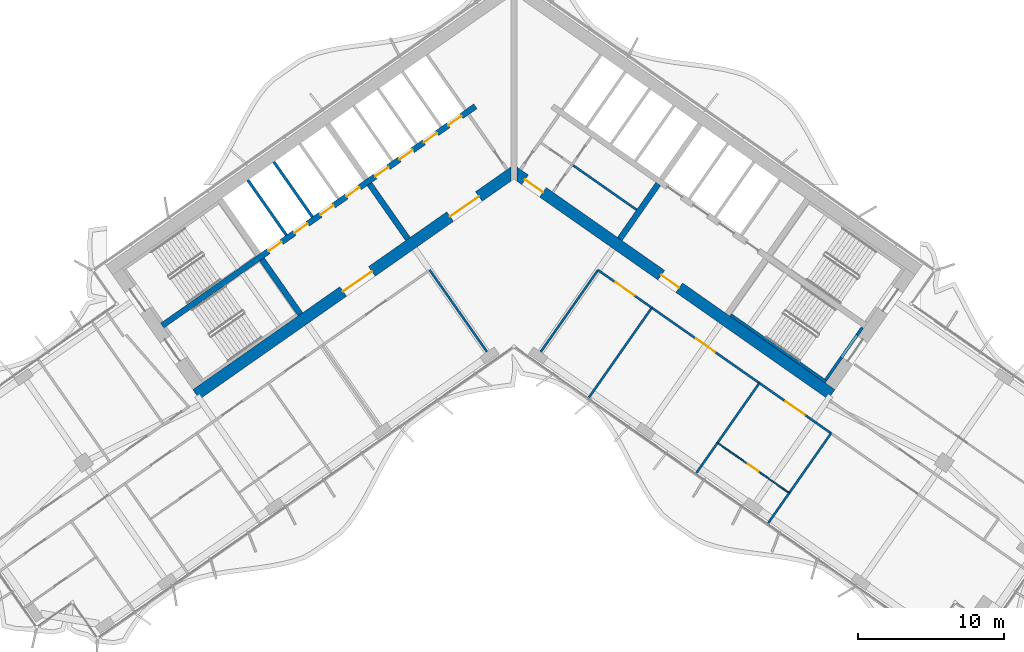
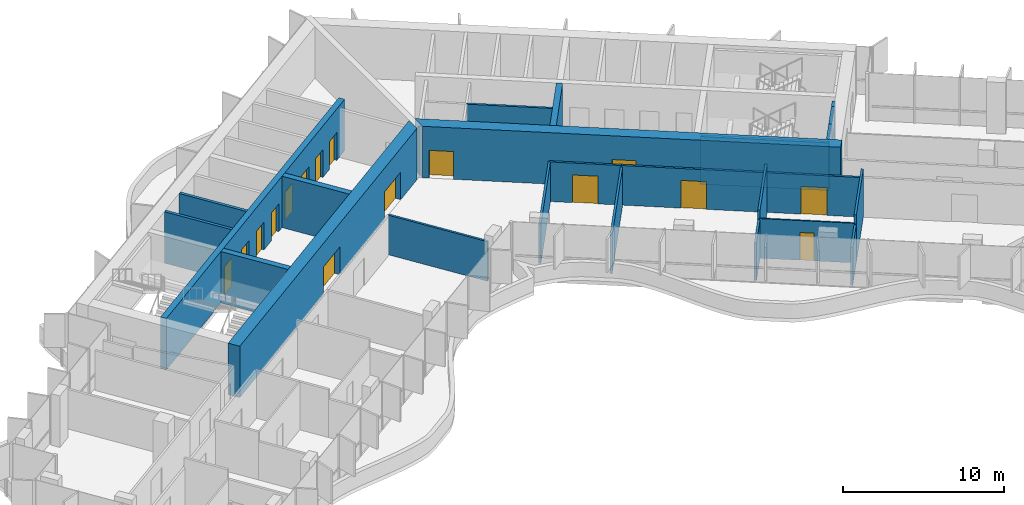
# One storey, part 13 of 21: 24 walls, 16 doors, 16 openings.
"""IFC4 building model written with IfcOpenShell, lengths in metres."""

from ifc_helpers import new_model, si_unit, direction, frame, frame_2d, origin, place, context, subcontext, project, spatial, polyline, rectangle, outline, extrude, material, layer, layer_set, type_object, element, fill, save


model = new_model("IFC4")

# Units and contexts
model_context = context("Model", 3, precision=1e-05, world=origin(), true_north=direction((0.0, 1.0)))
body_context = subcontext(model_context, "Body", "Model", "MODEL_VIEW")
ifc_project = project(units=[si_unit("LENGTHUNIT", "METRE"), si_unit("AREAUNIT", "SQUARE_METRE"), si_unit("VOLUMEUNIT", "CUBIC_METRE"), si_unit("PLANEANGLEUNIT", "RADIAN"), si_unit("MASSUNIT", "GRAM", prefix="KILO")], contexts=[model_context])

# Site, building, storey
site_placement = place(None, origin())
site = spatial("IfcSite", under=ifc_project, at=site_placement, CompositionType="ELEMENT")
building_placement = place(site_placement, origin())
building = spatial("IfcBuilding", under=site, at=building_placement, Name="Tel Ilan Convention Tower", CompositionType="ELEMENT")
storey_placement = place(building_placement, frame((0.0, 0.0, 139.800048828125)))
storey = spatial("IfcBuildingStorey", under=building, at=storey_placement, Name="L31", CompositionType="ELEMENT", Elevation=139.800048828125)

# Walls
ifc_material_1 = material(Name="Gypsum Plasterboard on Steel Stud", Category="steel")
ifc_layer_1 = layer(ifc_material_1, 0.14990234375)
ifc_layer_set_1 = layer_set([ifc_layer_1], Name="Core Room Partition Wall 150 mm EI 60")
wall_type_1 = type_object("IfcWallType", Name="Core Room Partition Wall 150 mm EI 60", PredefinedType="PARTITIONING", material=ifc_layer_set_1)
wall_1_placement = place(storey_placement, frame((3.989501953125, -0.22998046875, 0.0), z_axis=(0.0, 0.0, 1.0), x_axis=(0.819153326956, -0.573574604508, 0.0)))
element("IfcWall", 1, at=wall_1_placement, inside=storey, type_object=wall_type_1, Name="L31 core wall wc-h2", PredefinedType="PARTITIONING", context=body_context, shape_type="SweptSolid", body=[
    extrude(rectangle(XDim=5.400146484375, YDim=0.14990234375, at=frame_2d((2.7001953125, 0.0))), origin(), (0.0, 0.0, 1.0), 3.619873046875),
])
ifc_material_2 = material(Name="Concrete C50/60", Category="concrete")
ifc_layer_2 = layer(ifc_material_2, 0.39990234375)
ifc_layer_set_2 = layer_set([ifc_layer_2], Name="Core Shear Wall 400 mm C50/60")
wall_type_2 = type_object("IfcWallType", Name="Core Shear Wall 400 mm C50/60", PredefinedType="SHEAR", material=ifc_layer_set_2)
wall_2_placement = place(storey_placement, frame((-7.2578125, -5.325927734375, 0.0), z_axis=(0.0, 0.0, 1.0), x_axis=(-0.573540709186, 0.819177059558, 0.0)))
element("IfcWall", 2, at=wall_2_placement, inside=storey, type_object=wall_type_2, Name="L31 core wall W-cross1-1", PredefinedType="SHEAR", context=body_context, shape_type="SweptSolid", body=[
    extrude(outline(polyline([(4.599853515625, 0.2001953125), (-0.000244140625, 0.199951171875), (-0.000244140625, -0.2001953125), (4.599853515625, -0.199951171875), (4.599853515625, 0.2001953125)])), origin(), (0.0, 0.0, 1.0), 3.89990234375),
])
wall_3_placement = place(storey_placement, frame((-14.6298828125, -10.48828125, 0.0), z_axis=(0.0, 0.0, 1.0), x_axis=(-0.573611936273, 0.819127185829, 0.0)))
element("IfcWall", 3, at=wall_3_placement, inside=storey, type_object=wall_type_2, Name="L31 core wall W-cross2-1", PredefinedType="SHEAR", context=body_context, shape_type="SweptSolid", body=[
    extrude(outline(polyline([(4.60009765625, 0.199951171875), (0.000244140625, 0.2001953125), (0.000244140625, -0.199951171875), (4.60009765625, -0.2001953125), (4.60009765625, 0.199951171875)])), origin(), (0.0, 0.0, 1.0), 3.89990234375),
])

# Wall, openings, doors
wall_4_placement = place(storey_placement, frame((-2.638427734375, 3.76806640625, 0.0), z_axis=(0.0, 0.0, 1.0), x_axis=(-0.81915267502, -0.573575535572, 0.0)))
wall_4 = element("IfcWall", 4, at=wall_4_placement, inside=storey, type_object=wall_type_2, Name="L31 core wall W-spine", PredefinedType="SHEAR", context=body_context, shape_type="SweptSolid", body=[
    extrude(outline(polyline([(26.199951171875, 0.199951171875), (0.0, 0.199951171875), (0.0, -0.199951171875), (26.199951171875, -0.199951171875), (26.199951171875, 0.199951171875)])), origin(), (0.0, 0.0, 1.0), 3.89990234375),
])
opening_1_placement = place(wall_4_placement, frame((1.168701171875, 0.0, 0.0)))
opening_1 = element("IfcOpeningElement", 5, at=opening_1_placement, cuts=wall_4, Name="Opening LD2504", PredefinedType="OPENING", context=body_context, shape_type="SweptSolid", body=[
    extrude(rectangle(XDim=1.10009765625, YDim=2.10009765625, at=frame_2d((0.550048828125, 1.050048828125))), frame((0.0, 0.2099609375, 0.0), z_axis=(0.0, -1.0, 0.0), x_axis=(1.0, 0.0, 0.0)), (0.0, 0.0, 1.0), 0.419921875),
])
opening_2_placement = place(wall_4_placement, frame((3.206298828125, 0.0, 0.0)))
opening_2 = element("IfcOpeningElement", 6, at=opening_2_placement, cuts=wall_4, Name="Opening LD2505", PredefinedType="OPENING", context=body_context, shape_type="SweptSolid", body=[
    extrude(rectangle(XDim=1.10009765625, YDim=2.10009765625, at=frame_2d((0.550048828125, 1.050048828125))), frame((0.0, 0.2099609375, 0.0), z_axis=(0.0, -1.0, 0.0), x_axis=(1.0, 0.0, 0.0)), (0.0, 0.0, 1.0), 0.419921875),
])
opening_3_placement = place(wall_4_placement, frame((5.24365234375, 0.0, 0.0)))
opening_3 = element("IfcOpeningElement", 7, at=opening_3_placement, cuts=wall_4, Name="Opening LD2506", PredefinedType="OPENING", context=body_context, shape_type="SweptSolid", body=[
    extrude(rectangle(XDim=1.10009765625, YDim=2.10009765625, at=frame_2d((0.550048828125, 1.050048828125))), frame((0.0, 0.2099609375, 0.0), z_axis=(0.0, -1.0, 0.0), x_axis=(1.0, 0.0, 0.0)), (0.0, 0.0, 1.0), 0.419921875),
])
opening_4_placement = place(wall_4_placement, frame((7.28125, 0.0, 0.0)))
opening_4 = element("IfcOpeningElement", 8, at=opening_4_placement, cuts=wall_4, Name="Opening LD2507", PredefinedType="OPENING", context=body_context, shape_type="SweptSolid", body=[
    extrude(rectangle(XDim=1.10009765625, YDim=2.10009765625, at=frame_2d((0.550048828125, 1.050048828125))), frame((0.0, 0.2099609375, 0.0), z_axis=(0.0, -1.0, 0.0), x_axis=(1.0, 0.0, 0.0)), (0.0, 0.0, 1.0), 0.419921875),
])
opening_5_placement = place(wall_4_placement, frame((9.6875, 0.0, 0.0)))
opening_5 = element("IfcOpeningElement", 9, at=opening_5_placement, cuts=wall_4, Name="Opening LD2508", PredefinedType="OPENING", context=body_context, shape_type="SweptSolid", body=[
    extrude(rectangle(XDim=1.10009765625, YDim=2.10009765625, at=frame_2d((0.550048828125, 1.050048828125))), frame((0.0, 0.2099609375, 0.0), z_axis=(0.0, -1.0, 0.0), x_axis=(1.0, 0.0, 0.0)), (0.0, 0.0, 1.0), 0.419921875),
])
opening_6_placement = place(wall_4_placement, frame((11.862548828125, 0.0, 0.0)))
opening_6 = element("IfcOpeningElement", 10, at=opening_6_placement, cuts=wall_4, Name="Opening LD2509", PredefinedType="OPENING", context=body_context, shape_type="SweptSolid", body=[
    extrude(rectangle(XDim=1.10009765625, YDim=2.10009765625, at=frame_2d((0.550048828125, 1.050048828125))), frame((0.0, 0.2099609375, 0.0), z_axis=(0.0, -1.0, 0.0), x_axis=(1.0, 0.0, 0.0)), (0.0, 0.0, 1.0), 0.419921875),
])
opening_7_placement = place(wall_4_placement, frame((14.03759765625, 0.0, 0.0)))
opening_7 = element("IfcOpeningElement", 11, at=opening_7_placement, cuts=wall_4, Name="Opening LD2510", PredefinedType="OPENING", context=body_context, shape_type="SweptSolid", body=[
    extrude(rectangle(XDim=1.10009765625, YDim=2.10009765625, at=frame_2d((0.550048828125, 1.050048828125))), frame((0.0, 0.2099609375, 0.0), z_axis=(0.0, -1.0, 0.0), x_axis=(1.0, 0.0, 0.0)), (0.0, 0.0, 1.0), 0.419921875),
])
opening_8_placement = place(wall_4_placement, frame((16.21240234375, 0.0, 0.0)))
opening_8 = element("IfcOpeningElement", 12, at=opening_8_placement, cuts=wall_4, Name="Opening LD2511", PredefinedType="OPENING", context=body_context, shape_type="SweptSolid", body=[
    extrude(rectangle(XDim=1.10009765625, YDim=2.10009765625, at=frame_2d((0.550048828125, 1.050048828125))), frame((0.0, 0.2099609375, 0.0), z_axis=(0.0, -1.0, 0.0), x_axis=(1.0, 0.0, 0.0)), (0.0, 0.0, 1.0), 0.419921875),
])
ifc_material_3 = material(Name="Stainless Steel Sliding Door Leaf", Category="steel")
door_type_1 = type_object("IfcDoorType", Name="Lift Landing Door 1100 x 2100 FD120", OperationType="NOTDEFINED", PredefinedType="DOOR", material=ifc_material_3)
door_1_placement = place(opening_1_placement, origin())
door_1 = element("IfcDoor", 13, at=door_1_placement, inside=storey, type_object=door_type_1, Name="Lift LR1 landing door", OperationType="SLIDING_TO_LEFT", OverallHeight=2.10009765625, OverallWidth=1.10009765625, PredefinedType="DOOR", context=body_context, shape_type="SweptSolid", body=[
    extrude(rectangle(XDim=1.10009765625, YDim=2.10009765625, at=frame_2d((0.550048828125, 1.050048828125))), frame((0.0, 0.02490234375, 0.0), z_axis=(0.0, -1.0, 0.0), x_axis=(1.0, 0.0, 0.0)), (0.0, 0.0, 1.0), 0.050048828125),
])
fill(opening_1, door_1)
door_2_placement = place(opening_2_placement, origin())
door_2 = element("IfcDoor", 14, at=door_2_placement, inside=storey, type_object=door_type_1, Name="Lift LR2 landing door", OperationType="SLIDING_TO_RIGHT", OverallHeight=2.10009765625, OverallWidth=1.10009765625, PredefinedType="DOOR", context=body_context, shape_type="SweptSolid", body=[
    extrude(rectangle(XDim=1.10009765625, YDim=2.10009765625, at=frame_2d((0.550048828125, 1.050048828125))), frame((0.0, 0.02490234375, 0.0), z_axis=(0.0, -1.0, 0.0), x_axis=(1.0, 0.0, 0.0)), (0.0, 0.0, 1.0), 0.050048828125),
])
fill(opening_2, door_2)
door_3_placement = place(opening_3_placement, origin())
door_3 = element("IfcDoor", 15, at=door_3_placement, inside=storey, type_object=door_type_1, Name="Lift LR3 landing door", OperationType="SLIDING_TO_LEFT", OverallHeight=2.10009765625, OverallWidth=1.10009765625, PredefinedType="DOOR", context=body_context, shape_type="SweptSolid", body=[
    extrude(rectangle(XDim=1.10009765625, YDim=2.10009765625, at=frame_2d((0.550048828125, 1.050048828125))), frame((0.0, 0.02490234375, 0.0), z_axis=(0.0, -1.0, 0.0), x_axis=(1.0, 0.0, 0.0)), (0.0, 0.0, 1.0), 0.050048828125),
])
fill(opening_3, door_3)
door_4_placement = place(opening_4_placement, origin())
door_4 = element("IfcDoor", 16, at=door_4_placement, inside=storey, type_object=door_type_1, Name="Lift LR4 landing door", OperationType="SLIDING_TO_RIGHT", OverallHeight=2.10009765625, OverallWidth=1.10009765625, PredefinedType="DOOR", context=body_context, shape_type="SweptSolid", body=[
    extrude(rectangle(XDim=1.10009765625, YDim=2.10009765625, at=frame_2d((0.550048828125, 1.050048828125))), frame((0.0, 0.02490234375, 0.0), z_axis=(0.0, -1.0, 0.0), x_axis=(1.0, 0.0, 0.0)), (0.0, 0.0, 1.0), 0.050048828125),
])
fill(opening_4, door_4)
door_5_placement = place(opening_5_placement, origin())
door_5 = element("IfcDoor", 17, at=door_5_placement, inside=storey, type_object=door_type_1, Name="Lift LR5 landing door", OperationType="SLIDING_TO_LEFT", OverallHeight=2.10009765625, OverallWidth=1.10009765625, PredefinedType="DOOR", context=body_context, shape_type="SweptSolid", body=[
    extrude(rectangle(XDim=1.10009765625, YDim=2.10009765625, at=frame_2d((0.550048828125, 1.050048828125))), frame((0.0, 0.02490234375, 0.0), z_axis=(0.0, -1.0, 0.0), x_axis=(1.0, 0.0, 0.0)), (0.0, 0.0, 1.0), 0.050048828125),
])
fill(opening_5, door_5)
door_6_placement = place(opening_6_placement, origin())
door_6 = element("IfcDoor", 18, at=door_6_placement, inside=storey, type_object=door_type_1, Name="Lift LR6 landing door", OperationType="SLIDING_TO_RIGHT", OverallHeight=2.10009765625, OverallWidth=1.10009765625, PredefinedType="DOOR", context=body_context, shape_type="SweptSolid", body=[
    extrude(rectangle(XDim=1.10009765625, YDim=2.10009765625, at=frame_2d((0.550048828125, 1.050048828125))), frame((0.0, 0.02490234375, 0.0), z_axis=(0.0, -1.0, 0.0), x_axis=(1.0, 0.0, 0.0)), (0.0, 0.0, 1.0), 0.050048828125),
])
fill(opening_6, door_6)
door_7_placement = place(opening_7_placement, origin())
door_7 = element("IfcDoor", 19, at=door_7_placement, inside=storey, type_object=door_type_1, Name="Lift LR7 landing door", OperationType="SLIDING_TO_LEFT", OverallHeight=2.10009765625, OverallWidth=1.10009765625, PredefinedType="DOOR", context=body_context, shape_type="SweptSolid", body=[
    extrude(rectangle(XDim=1.10009765625, YDim=2.10009765625, at=frame_2d((0.550048828125, 1.050048828125))), frame((0.0, 0.02490234375, 0.0), z_axis=(0.0, -1.0, 0.0), x_axis=(1.0, 0.0, 0.0)), (0.0, 0.0, 1.0), 0.050048828125),
])
fill(opening_7, door_7)
door_8_placement = place(opening_8_placement, origin())
door_8 = element("IfcDoor", 20, at=door_8_placement, inside=storey, type_object=door_type_1, Name="Lift LR8 landing door", OperationType="SLIDING_TO_RIGHT", OverallHeight=2.10009765625, OverallWidth=1.10009765625, PredefinedType="DOOR", context=body_context, shape_type="SweptSolid", body=[
    extrude(rectangle(XDim=1.10009765625, YDim=2.10009765625, at=frame_2d((0.550048828125, 1.050048828125))), frame((0.0, 0.02490234375, 0.0), z_axis=(0.0, -1.0, 0.0), x_axis=(1.0, 0.0, 0.0)), (0.0, 0.0, 1.0), 0.050048828125),
])
fill(opening_8, door_8)

# Wall
wall_5_placement = place(storey_placement, frame((7.2578125, -5.325927734375, 0.0), z_axis=(0.0, 0.0, 1.0), x_axis=(0.573540709186, 0.819177059558, 0.0)))
element("IfcWall", 21, at=wall_5_placement, inside=storey, type_object=wall_type_2, Name="L31 core wall E-cross1-1", PredefinedType="SHEAR", context=body_context, shape_type="SweptSolid", body=[
    extrude(outline(polyline([(-0.000244140625, 0.2001953125), (-0.000244140625, -0.199951171875), (4.599853515625, -0.2001953125), (4.599853515625, 0.199951171875), (-0.000244140625, 0.2001953125)])), origin(), (0.0, 0.0, 1.0), 3.89990234375),
])

# Wall, openings, doors
ifc_material_4 = material(Name="Concrete C50/60", Category="concrete")
ifc_layer_3 = layer(ifc_material_4, 0.800048828125)
ifc_layer_set_3 = layer_set([ifc_layer_3], Name="Core Shear Wall 800 mm C50/60")
wall_type_3 = type_object("IfcWallType", Name="Core Shear Wall 800 mm C50/60", PredefinedType="SHEAR", material=ifc_layer_set_3)
wall_6_placement = place(storey_placement, frame((0.029296875, -0.7119140625, 0.0), z_axis=(0.0, 0.0, 1.0), x_axis=(-0.819151758019, -0.573576845187, 0.0)))
wall_6 = element("IfcWall", 22, at=wall_6_placement, inside=storey, type_object=wall_type_3, Name="L31 core wall W-front", PredefinedType="SHEAR", context=body_context, shape_type="SweptSolid", body=[
    extrude(outline(polyline([(26.61572265625, 0.39990234375), (0.56005859375, 0.39990234375), (-0.000244140625, -0.39990234375), (26.61572265625, -0.39990234375), (26.61572265625, 0.39990234375)])), origin(), (0.0, 0.0, 1.0), 3.89990234375),
])
opening_9_placement = place(wall_6_placement, frame((2.9658203125, 0.0, 0.0)))
opening_9 = element("IfcOpeningElement", 23, at=opening_9_placement, cuts=wall_6, Name="Opening CD2505", PredefinedType="OPENING", context=body_context, shape_type="SweptSolid", body=[
    extrude(rectangle(XDim=2.39990234375, YDim=2.10009765625, at=frame_2d((1.199951171875, 1.050048828125))), frame((0.0, 0.409912109375, 0.0), z_axis=(0.0, -1.0, 0.0), x_axis=(1.0, 0.0, 0.0)), (0.0, 0.0, 1.0), 0.820068359375),
])
opening_10_placement = place(wall_6_placement, frame((11.915771484375, 0.0, 0.0)))
opening_10 = element("IfcOpeningElement", 24, at=opening_10_placement, cuts=wall_6, Name="Opening CD2506", PredefinedType="OPENING", context=body_context, shape_type="SweptSolid", body=[
    extrude(rectangle(XDim=2.39990234375, YDim=2.10009765625, at=frame_2d((1.199951171875, 1.050048828125))), frame((0.0, 0.409912109375, 0.0), z_axis=(0.0, -1.0, 0.0), x_axis=(1.0, 0.0, 0.0)), (0.0, 0.0, 1.0), 0.820068359375),
])
ifc_material_5 = material(Name="Glazed Aluminium Door Leaf", Category="aluminium")
door_type_2 = type_object("IfcDoorType", Name="Lobby Opening Door 2400 x 2100 FD60S", OperationType="NOTDEFINED", PredefinedType="DOOR", material=ifc_material_5)
door_9_placement = place(opening_9_placement, origin())
door_9 = element("IfcDoor", 25, at=door_9_placement, inside=storey, type_object=door_type_2, Name="Lift Lobby LR1-LR4 opening", OperationType="DOUBLE_DOOR_SINGLE_SWING", OverallHeight=2.10009765625, OverallWidth=2.39990234375, PredefinedType="DOOR", context=body_context, shape_type="SweptSolid", body=[
    extrude(rectangle(XDim=2.39990234375, YDim=2.10009765625, at=frame_2d((1.199951171875, 1.050048828125))), frame((0.0, 0.02490234375, 0.0), z_axis=(0.0, -1.0, 0.0), x_axis=(1.0, 0.0, 0.0)), (0.0, 0.0, 1.0), 0.050048828125),
])
fill(opening_9, door_9)
door_10_placement = place(opening_10_placement, origin())
door_10 = element("IfcDoor", 26, at=door_10_placement, inside=storey, type_object=door_type_2, Name="Lift Lobby LR5-LR8 opening", OperationType="DOUBLE_DOOR_SINGLE_SWING", OverallHeight=2.10009765625, OverallWidth=2.39990234375, PredefinedType="DOOR", context=body_context, shape_type="SweptSolid", body=[
    extrude(rectangle(XDim=2.39990234375, YDim=2.10009765625, at=frame_2d((1.199951171875, 1.050048828125))), frame((0.0, 0.02490234375, 0.0), z_axis=(0.0, -1.0, 0.0), x_axis=(1.0, 0.0, 0.0)), (0.0, 0.0, 1.0), 0.050048828125),
])
fill(opening_10, door_10)

wall_7_placement = place(storey_placement, frame((-0.029296875, -0.7119140625, 0.0), z_axis=(0.0, 0.0, 1.0), x_axis=(0.819151758019, -0.573576845187, 0.0)))
wall_7 = element("IfcWall", 27, at=wall_7_placement, inside=storey, type_object=wall_type_3, Name="L31 core wall E-front", PredefinedType="SHEAR", context=body_context, shape_type="SweptSolid", body=[
    extrude(outline(polyline([(26.61572265625, 0.39990234375), (-0.000244140625, 0.39990234375), (0.56005859375, -0.39990234375), (26.61572265625, -0.39990234375), (26.61572265625, 0.39990234375)])), origin(), (0.0, 0.0, 1.0), 3.89990234375),
])
opening_11_placement = place(wall_7_placement, frame((0.9658203125, 0.0, 0.0)))
opening_11 = element("IfcOpeningElement", 28, at=opening_11_placement, cuts=wall_7, Name="Opening CD2503", PredefinedType="OPENING", context=body_context, shape_type="SweptSolid", body=[
    extrude(rectangle(XDim=1.5, YDim=2.10009765625, at=frame_2d((0.75, 1.050048828125))), frame((0.0, 0.409912109375, 0.0), z_axis=(0.0, -1.0, 0.0), x_axis=(1.0, 0.0, 0.0)), (0.0, 0.0, 1.0), 0.820068359375),
])
opening_12_placement = place(wall_7_placement, frame((12.36572265625, 0.0, 0.0)))
opening_12 = element("IfcOpeningElement", 29, at=opening_12_placement, cuts=wall_7, Name="Opening CD2504", PredefinedType="OPENING", context=body_context, shape_type="SweptSolid", body=[
    extrude(rectangle(XDim=1.5, YDim=2.10009765625, at=frame_2d((0.75, 1.050048828125))), frame((0.0, 0.409912109375, 0.0), z_axis=(0.0, -1.0, 0.0), x_axis=(1.0, 0.0, 0.0)), (0.0, 0.0, 1.0), 0.820068359375),
])
ifc_material_6 = material(Name="Glazed Aluminium Door Leaf", Category="aluminium")
door_type_3 = type_object("IfcDoorType", Name="Lobby Opening Door 1500 x 2100 FD60S", OperationType="NOTDEFINED", PredefinedType="DOOR", material=ifc_material_6)
door_11_placement = place(opening_12_placement, origin())
door_11 = element("IfcDoor", 30, at=door_11_placement, inside=storey, type_object=door_type_3, Name="Firefighting Lobby door", OperationType="DOUBLE_DOOR_SINGLE_SWING", OverallHeight=2.10009765625, OverallWidth=1.5, PredefinedType="DOOR", context=body_context, shape_type="SweptSolid", body=[
    extrude(rectangle(XDim=1.5, YDim=2.10009765625, at=frame_2d((0.75, 1.050048828125))), frame((0.0, 0.02490234375, 0.0), z_axis=(0.0, -1.0, 0.0), x_axis=(1.0, 0.0, 0.0)), (0.0, 0.0, 1.0), 0.050048828125),
])
fill(opening_12, door_11)
ifc_material_7 = material(Name="Laminated Timber Door Leaf", Category="wood")
door_type_4 = type_object("IfcDoorType", Name="Toilet Door 1500 x 2100 FD30S", OperationType="NOTDEFINED", PredefinedType="DOOR", material=ifc_material_7)
door_12_placement = place(opening_11_placement, origin())
door_12 = element("IfcDoor", 31, at=door_12_placement, inside=storey, type_object=door_type_4, Name="WC Lobby door", OperationType="SINGLE_SWING_RIGHT", OverallHeight=2.10009765625, OverallWidth=1.5, PredefinedType="DOOR", context=body_context, shape_type="SweptSolid", body=[
    extrude(rectangle(XDim=1.5, YDim=2.10009765625, at=frame_2d((0.75, 1.050048828125))), frame((0.0, 0.02490234375, 0.0), z_axis=(0.0, -1.0, 0.0), x_axis=(1.0, 0.0, 0.0)), (0.0, 0.0, 1.0), 0.050048828125),
])
fill(opening_11, door_12)

# Wall, opening, door
ifc_material_8 = material(Name="Plasterboard on Steel Studs", Category="steel")
ifc_layer_4 = layer(ifc_material_8, 0.14990234375)
ifc_layer_set_4 = layer_set([ifc_layer_4], Name="Fire-rated Partition 150 EI 60")
wall_type_4 = type_object("IfcWallType", Name="Fire-rated Partition 150 EI 60", PredefinedType="PARTITIONING", material=ifc_layer_set_4)
wall_8_placement = place(storey_placement, frame((9.4541015625, -10.0380859375, 0.0), z_axis=(0.0, 0.0, 1.0), x_axis=(-0.819142740634, 0.573589723117, 0.0)))
wall_8 = element("IfcWall", 32, at=wall_8_placement, inside=storey, type_object=wall_type_4, Name="Partition 003", PredefinedType="PARTITIONING", context=body_context, shape_type="SweptSolid", body=[
    extrude(rectangle(XDim=4.501953125, YDim=0.14990234375, at=frame_2d((2.2509765625, 0.0))), origin(), (0.0, 0.0, 1.0), 3.0),
])
opening_13_placement = place(wall_8_placement, frame((1.450927734375, 0.0, 0.0)))
opening_13 = element("IfcOpeningElement", 33, at=opening_13_placement, cuts=wall_8, Name="Opening L31-013", PredefinedType="OPENING", context=body_context, shape_type="SweptSolid", body=[
    extrude(rectangle(XDim=1.60009765625, YDim=2.10009765625, at=frame_2d((0.800048828125, 1.050048828125))), frame((0.0, 0.0849609375, 0.0), z_axis=(0.0, -1.0, 0.0), x_axis=(1.0, 0.0, 0.0)), (0.0, 0.0, 1.0), 0.169921875),
])
ifc_material_9 = material(Name="Timber Door Leaf in Steel Frame", Category="steel")
door_type_5 = type_object("IfcDoorType", Name="Tenant Suite Entrance Fire Door 1600x2100", OperationType="NOTDEFINED", PredefinedType="DOOR", material=ifc_material_9)
door_13_placement = place(opening_13_placement, origin())
door_13 = element("IfcDoor", 34, at=door_13_placement, inside=storey, type_object=door_type_5, Name="Door L31-013", OperationType="DOUBLE_DOOR_SINGLE_SWING", OverallHeight=2.10009765625, OverallWidth=1.60009765625, PredefinedType="DOOR", context=body_context, shape_type="SweptSolid", body=[
    extrude(rectangle(XDim=1.60009765625, YDim=2.10009765625, at=frame_2d((0.800048828125, 1.050048828125))), frame((0.0, 0.02490234375, 0.0), z_axis=(0.0, -1.0, 0.0), x_axis=(1.0, 0.0, 0.0)), (0.0, 0.0, 1.0), 0.050048828125),
])
fill(opening_13, door_13)

wall_9_placement = place(storey_placement, frame((16.826416015625, -15.2001953125, 0.0), z_axis=(0.0, 0.0, 1.0), x_axis=(-0.819155480642, 0.5735715287, 0.0)))
wall_9 = element("IfcWall", 35, at=wall_9_placement, inside=storey, type_object=wall_type_4, Name="Partition 004", PredefinedType="PARTITIONING", context=body_context, shape_type="SweptSolid", body=[
    extrude(rectangle(XDim=9.003662109375, YDim=0.14990234375, at=frame_2d((4.501953125, 0.0))), origin(), (0.0, 0.0, 1.0), 3.0),
])
opening_14_placement = place(wall_9_placement, frame((3.701904296875, 0.0, 0.0)))
opening_14 = element("IfcOpeningElement", 36, at=opening_14_placement, cuts=wall_9, Name="Opening L31-014", PredefinedType="OPENING", context=body_context, shape_type="SweptSolid", body=[
    extrude(rectangle(XDim=1.60009765625, YDim=2.10009765625, at=frame_2d((0.800048828125, 1.050048828125))), frame((0.0, 0.0849609375, 0.0), z_axis=(0.0, -1.0, 0.0), x_axis=(1.0, 0.0, 0.0)), (0.0, 0.0, 1.0), 0.169921875),
])
door_14_placement = place(opening_14_placement, origin())
door_14 = element("IfcDoor", 37, at=door_14_placement, inside=storey, type_object=door_type_5, Name="Door L31-014", OperationType="DOUBLE_DOOR_SINGLE_SWING", OverallHeight=2.10009765625, OverallWidth=1.60009765625, PredefinedType="DOOR", context=body_context, shape_type="SweptSolid", body=[
    extrude(rectangle(XDim=1.60009765625, YDim=2.10009765625, at=frame_2d((0.800048828125, 1.050048828125))), frame((0.0, 0.02490234375, 0.0), z_axis=(0.0, -1.0, 0.0), x_axis=(1.0, 0.0, 0.0)), (0.0, 0.0, 1.0), 0.050048828125),
])
fill(opening_14, door_14)

wall_10_placement = place(storey_placement, frame((21.741455078125, -18.6416015625, 0.0), z_axis=(0.0, 0.0, 1.0), x_axis=(-0.819165052243, 0.573557858619, 0.0)))
wall_10 = element("IfcWall", 38, at=wall_10_placement, inside=storey, type_object=wall_type_4, Name="Partition 005", PredefinedType="PARTITIONING", context=body_context, shape_type="SweptSolid", body=[
    extrude(rectangle(XDim=6.00390625, YDim=0.14990234375, at=frame_2d((3.001953125, 0.0))), origin(), (0.0, 0.0, 1.0), 3.0),
])
opening_15_placement = place(wall_10_placement, frame((2.201904296875, 0.0, 0.0)))
opening_15 = element("IfcOpeningElement", 39, at=opening_15_placement, cuts=wall_10, Name="Opening L31-015", PredefinedType="OPENING", context=body_context, shape_type="SweptSolid", body=[
    extrude(rectangle(XDim=1.60009765625, YDim=2.10009765625, at=frame_2d((0.800048828125, 1.050048828125))), frame((0.0, 0.0849609375, 0.0), z_axis=(0.0, -1.0, 0.0), x_axis=(1.0, 0.0, 0.0)), (0.0, 0.0, 1.0), 0.169921875),
])
door_15_placement = place(opening_15_placement, origin())
door_15 = element("IfcDoor", 40, at=door_15_placement, inside=storey, type_object=door_type_5, Name="Door L31-015", OperationType="DOUBLE_DOOR_SINGLE_SWING", OverallHeight=2.10009765625, OverallWidth=1.60009765625, PredefinedType="DOOR", context=body_context, shape_type="SweptSolid", body=[
    extrude(rectangle(XDim=1.60009765625, YDim=2.10009765625, at=frame_2d((0.800048828125, 1.050048828125))), frame((0.0, 0.02490234375, 0.0), z_axis=(0.0, -1.0, 0.0), x_axis=(1.0, 0.0, 0.0)), (0.0, 0.0, 1.0), 0.050048828125),
])
fill(opening_15, door_15)

# Walls
wall_11_placement = place(storey_placement, frame((9.452392578125, -10.036865234375, 0.0), z_axis=(0.0, 0.0, 1.0), x_axis=(-0.573575945067, -0.81915238829, 0.0)))
element("IfcWall", 41, at=wall_11_placement, inside=storey, type_object=wall_type_4, Name="Partition 018", PredefinedType="PARTITIONING", context=body_context, shape_type="SweptSolid", body=[
    extrude(rectangle(XDim=7.5, YDim=0.14990234375, at=frame_2d((3.75, 0.0))), origin(), (0.0, 0.0, 1.0), 2.89990234375),
])
wall_12_placement = place(storey_placement, frame((1.848876953125, -13.050537109375, 0.0), z_axis=(0.0, 0.0, 1.0), x_axis=(0.573577493031, 0.819151304393, 0.0)))
element("IfcWall", 42, at=wall_12_placement, inside=storey, type_object=wall_type_4, Name="Partition 019", PredefinedType="PARTITIONING", context=body_context, shape_type="SweptSolid", body=[
    extrude(rectangle(XDim=6.829833984375, YDim=0.14990234375, at=frame_2d((3.4150390625, 0.0))), origin(), (0.0, 0.0, 1.0), 3.0),
])
wall_13_placement = place(storey_placement, frame((13.95751953125, -19.2939453125, 0.0), z_axis=(0.0, 0.0, 1.0), x_axis=(-0.573501652684, -0.819204403289, 0.0)))
element("IfcWall", 43, at=wall_13_placement, inside=storey, type_object=wall_type_4, Name="Partition 020", PredefinedType="PARTITIONING", context=body_context, shape_type="SweptSolid", body=[
    extrude(rectangle(XDim=2.5009765625, YDim=0.14990234375, at=frame_2d((1.25048828125, 0.0))), origin(), (0.0, 0.0, 1.0), 2.89990234375),
])
wall_14_placement = place(storey_placement, frame((16.824951171875, -15.19921875, 0.0), z_axis=(0.0, 0.0, 1.0), x_axis=(-0.573613022702, -0.819126425033, 0.0)))
element("IfcWall", 44, at=wall_14_placement, inside=storey, type_object=wall_type_4, Name="Partition 021", PredefinedType="PARTITIONING", context=body_context, shape_type="SweptSolid", body=[
    extrude(rectangle(XDim=5.001953125, YDim=0.14990234375, at=frame_2d((2.5009765625, 0.0))), origin(), (0.0, 0.0, 1.0), 3.619873046875),
])
wall_15_placement = place(storey_placement, frame((18.871337890625, -22.737060546875, 0.0), z_axis=(0.0, 0.0, 1.0), x_axis=(-0.573560689761, -0.819163069945, 0.0)))
element("IfcWall", 45, at=wall_15_placement, inside=storey, type_object=wall_type_4, Name="Partition 023", PredefinedType="PARTITIONING", context=body_context, shape_type="SweptSolid", body=[
    extrude(rectangle(XDim=2.4990234375, YDim=0.14990234375, at=frame_2d((1.24951171875, 0.0))), origin(), (0.0, 0.0, 1.0), 2.89990234375),
])
wall_16_placement = place(storey_placement, frame((21.73974609375, -18.640625, 0.0), z_axis=(0.0, 0.0, 1.0), x_axis=(-0.573586866468, -0.819144740944, 0.0)))
element("IfcWall", 46, at=wall_16_placement, inside=storey, type_object=wall_type_4, Name="Partition 024", PredefinedType="PARTITIONING", context=body_context, shape_type="SweptSolid", body=[
    extrude(rectangle(XDim=5.0, YDim=0.14990234375, at=frame_2d((2.5, 0.0))), origin(), (0.0, 0.0, 1.0), 3.619873046875),
])
wall_17_placement = place(storey_placement, frame((-1.848876953125, -13.050537109375, 0.0), z_axis=(0.0, 0.0, 1.0), x_axis=(-0.57357985571, 0.819149650018, 0.0)))
element("IfcWall", 47, at=wall_17_placement, inside=storey, type_object=wall_type_4, Name="Partition 025", PredefinedType="PARTITIONING", context=body_context, shape_type="SweptSolid", body=[
    extrude(rectangle(XDim=6.83203125, YDim=0.14990234375, at=frame_2d((3.416015625, 0.0))), origin(), (0.0, 0.0, 1.0), 3.0),
])
ifc_material_10 = material(Name="Concrete C30/37", Category="concrete")
ifc_layer_5 = layer(ifc_material_10, 0.199951171875)
ifc_layer_set_5 = layer_set([ifc_layer_5], Name="Lift Shaft Wall 200 mm C30/37")
wall_type_5 = type_object("IfcWallType", Name="Lift Shaft Wall 200 mm C30/37", PredefinedType="SOLIDWALL", material=ifc_layer_set_5)
for number, where, z_axis, x_axis, name in (
    (48, (-13.811767578125, -3.811279296875, 0.0), (0.0, 0.0, 1.0), (-0.573576324356, 0.819152122709, 0.0), "L31 core wall bank-W2-p1"),
    (49, (-15.593505859375, -5.058837890625, 0.0), (0.0, 0.0, 1.0), (-0.573540709186, 0.819177059558, 0.0), "L31 core wall bank-W2-p2"),
):
    element("IfcWall", number, at=place(storey_placement, frame(where, z_axis=z_axis, x_axis=x_axis)), inside=storey, type_object=wall_type_5, Name=name, PredefinedType="SOLIDWALL", context=body_context, shape_type="SweptSolid", body=[
        extrude(rectangle(XDim=4.599853515625, YDim=0.199951171875, at=frame_2d((2.2998046875, 0.0))), origin(), (0.0, 0.0, 1.0), 3.89990234375),
    ])

# Wall, opening, door
ifc_material_11 = material(Name="Plasterboard on Steel Studs", Category="steel")
ifc_layer_6 = layer(ifc_material_11, 0.10009765625)
ifc_layer_set_6 = layer_set([ifc_layer_6], Name="Plasterboard Partition 100")
wall_type_6 = type_object("IfcWallType", Name="Plasterboard Partition 100", PredefinedType="PARTITIONING", material=ifc_layer_set_6)
wall_18_placement = place(storey_placement, frame((18.871337890625, -22.737060546875, 0.0), z_axis=(0.0, 0.0, 1.0), x_axis=(-0.819149710902, 0.573579768758, 0.0)))
wall_18 = element("IfcWall", 50, at=wall_18_placement, inside=storey, type_object=wall_type_6, Name="Partition 022", PredefinedType="PARTITIONING", context=body_context, shape_type="SweptSolid", body=[
    extrude(rectangle(XDim=5.999755859375, YDim=0.10009765625, at=frame_2d((3.0, 0.0))), origin(), (0.0, 0.0, 1.0), 3.0),
])
opening_16_placement = place(wall_18_placement, frame((2.550048828125, 0.0, 0.0)))
opening_16 = element("IfcOpeningElement", 51, at=opening_16_placement, cuts=wall_18, Name="Opening L31-016", PredefinedType="OPENING", context=body_context, shape_type="SweptSolid", body=[
    extrude(rectangle(XDim=0.89990234375, YDim=2.10009765625, at=frame_2d((0.449951171875, 1.050048828125))), frame((0.0, 0.06005859375, 0.0), z_axis=(0.0, -1.0, 0.0), x_axis=(1.0, 0.0, 0.0)), (0.0, 0.0, 1.0), 0.1201171875),
])
ifc_material_12 = material(Name="Timber Door Leaf in Steel Frame", Category="steel")
door_type_6 = type_object("IfcDoorType", Name="Room Timber Door 900x2100", OperationType="NOTDEFINED", PredefinedType="DOOR", material=ifc_material_12)
door_16_placement = place(opening_16_placement, origin())
door_16 = element("IfcDoor", 52, at=door_16_placement, inside=storey, type_object=door_type_6, Name="Door L31-016", OperationType="SINGLE_SWING_RIGHT", OverallHeight=2.10009765625, OverallWidth=0.89990234375, PredefinedType="DOOR", context=body_context, shape_type="SweptSolid", body=[
    extrude(rectangle(XDim=0.89990234375, YDim=2.10009765625, at=frame_2d((0.449951171875, 1.050048828125))), frame((0.0, 0.02490234375, 0.0), z_axis=(0.0, -1.0, 0.0), x_axis=(1.0, 0.0, 0.0)), (0.0, 0.0, 1.0), 0.050048828125),
])
fill(opening_16, door_16)

# Walls
ifc_material_13 = material(Name="Concrete C30/37", Category="concrete")
ifc_layer_7 = layer(ifc_material_13, 0.199951171875)
ifc_layer_set_7 = layer_set([ifc_layer_7], Name="Stair and Shaft Lining Wall 200 mm C30/37")
wall_type_7 = type_object("IfcWallType", Name="Stair and Shaft Lining Wall 200 mm C30/37", PredefinedType="SOLIDWALL", material=ifc_layer_set_7)
wall_19_placement = place(storey_placement, frame((14.851318359375, -10.52099609375, 0.0), z_axis=(0.0, 0.0, 1.0), x_axis=(0.819141584393, -0.57359137434, 0.0)))
element("IfcWall", 53, at=wall_19_placement, inside=storey, type_object=wall_type_7, Name="L31 core wall lining-S4-t0", PredefinedType="SOLIDWALL", context=body_context, shape_type="SweptSolid", body=[
    extrude(rectangle(XDim=7.999755859375, YDim=0.199951171875, at=frame_2d((4.0, 0.0))), origin(), (0.0, 0.0, 1.0), 3.619873046875),
])
wall_20_placement = place(storey_placement, frame((21.3798828125, -14.97021484375, 0.0), z_axis=(0.0, 0.0, 1.0), x_axis=(0.573559770908, 0.819163713305, 0.0)))
element("IfcWall", 54, at=wall_20_placement, inside=storey, type_object=wall_type_7, Name="L31 core wall lining-S4-u1-0", PredefinedType="SOLIDWALL", context=body_context, shape_type="SweptSolid", body=[
    extrude(rectangle(XDim=1.849853515625, YDim=0.199951171875, at=frame_2d((0.9248046875, 0.0))), origin(), (0.0, 0.0, 1.0), 3.619873046875),
])
wall_21_placement = place(storey_placement, frame((23.53076171875, -11.8984375, 0.0), z_axis=(0.0, 0.0, 1.0), x_axis=(0.573708088123, 0.819059844958, 0.0)))
element("IfcWall", 55, at=wall_21_placement, inside=storey, type_object=wall_type_7, Name="L31 core wall lining-S4-u1-1", PredefinedType="SOLIDWALL", context=body_context, shape_type="SweptSolid", body=[
    extrude(rectangle(XDim=0.60009765625, YDim=0.199951171875, at=frame_2d((0.300048828125, 0.0))), origin(), (0.0, 0.0, 1.0), 3.619873046875),
])
wall_22_placement = place(storey_placement, frame((22.44091796875, -13.454833984375, 2.14990234375), z_axis=(0.0, 0.0, 1.0), x_axis=(0.573591692345, 0.819141361715, 0.0)))
element("IfcWall", 56, at=wall_22_placement, inside=storey, type_object=wall_type_7, Name="L31 core wall lining-S4-u1-lintel", PredefinedType="SOLIDWALL", context=body_context, shape_type="SweptSolid", body=[
    extrude(rectangle(XDim=1.900146484375, YDim=0.199951171875, at=frame_2d((0.9501953125, 0.0))), origin(), (0.0, 0.0, 1.0), 1.469970703125),
])

save(model, "model.ifc")
